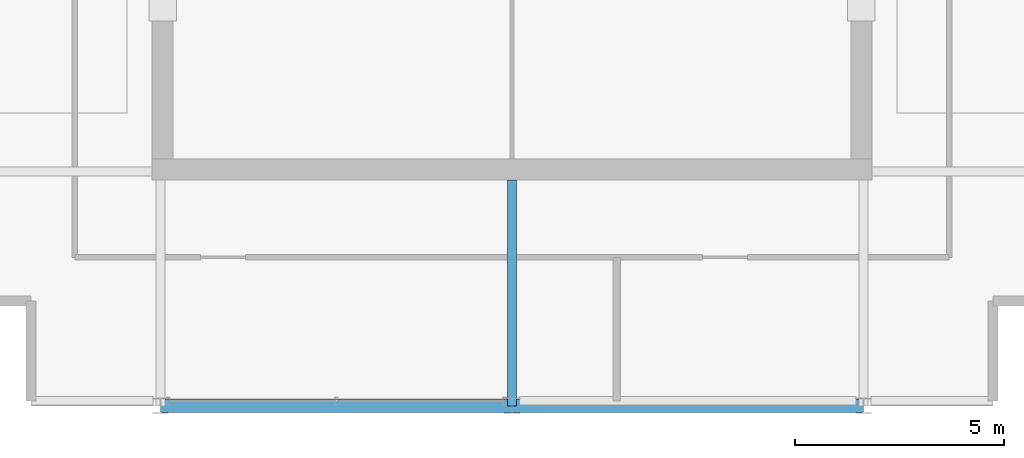
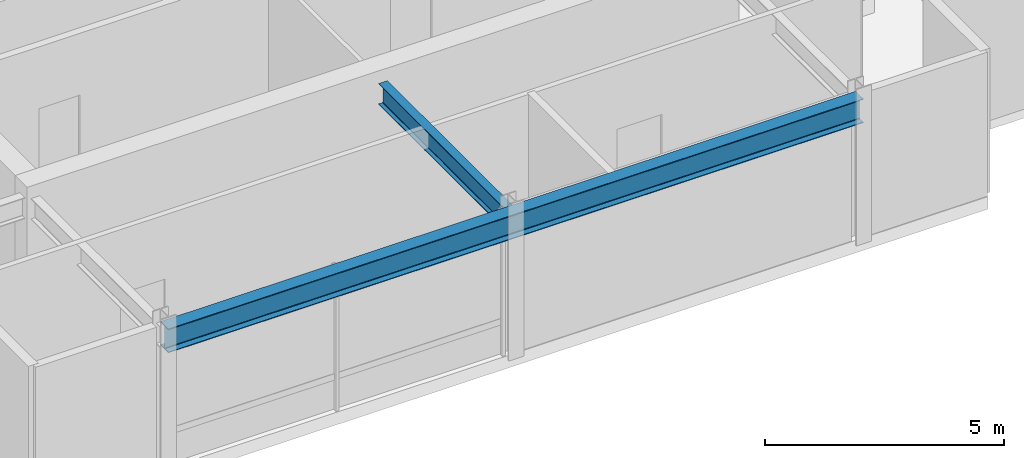
# One storey, part 3 of 12: 2 beams.
"""IFC4 building model written with IfcOpenShell, lengths in metres."""

from ifc_helpers import new_model, si_unit, direction, frame, origin, origin_2d, place, context, subcontext, project, spatial, i_section, extrude, material, material_profile, profile_set, type_object, element, save


model = new_model("IFC4")

# Units and contexts
model_context = context("Model", 3, precision=1e-05, world=origin(), true_north=direction((0.0, 1.0)))
body_context = subcontext(model_context, "Body", "Model", "MODEL_VIEW")
ifc_project = project(units=[si_unit("LENGTHUNIT", "METRE"), si_unit("AREAUNIT", "SQUARE_METRE"), si_unit("VOLUMEUNIT", "CUBIC_METRE"), si_unit("PLANEANGLEUNIT", "RADIAN"), si_unit("MASSUNIT", "GRAM", prefix="KILO")], contexts=[model_context])

# Site, building, storey
site_placement = place(None, origin())
site = spatial("IfcSite", under=ifc_project, at=site_placement, CompositionType="ELEMENT")
building_placement = place(site_placement, origin())
building = spatial("IfcBuilding", under=site, at=building_placement, Name="Drelvath Grand Hotel", CompositionType="ELEMENT")
storey_placement = place(building_placement, frame((0.0, 0.0, 315.39990234375)))
storey = spatial("IfcBuildingStorey", under=building, at=storey_placement, Name="L82", CompositionType="ELEMENT", Elevation=315.39990234375)

# Beams
ifc_material = material(Name="Steel ASTM A992 Gr 50", Category="steel")
ifc_material_profile_1 = material_profile(ifc_material, i_section(OverallWidth=0.210205078125, OverallDepth=0.53662109375, WebThickness=0.010986328125, FlangeThickness=0.017333984375, FilletRadius=0.01806640625, at=origin_2d()), Name="W21X68")
ifc_profile_set_1 = profile_set([ifc_material_profile_1], Name="Steel ASTM A992 Gr 50")
beam_type_1 = type_object("IfcBeamType", Name="Primary Floor Girder W21X68", PredefinedType="BEAM", material=ifc_profile_set_1)
beam_1_placement = place(storey_placement, frame((0.0, 13.0, 3.41162109375), z_axis=(0.0, 1.0, 0.0), x_axis=(-1.0, 0.0, 0.0)))
element("IfcBeam", 1, at=beam_1_placement, inside=storey, type_object=beam_type_1, Name="L82 Crown Drum Tie South 5", PredefinedType="BEAM", context=body_context, shape_type="SweptSolid", body=[
    extrude(i_section(OverallWidth=0.210205078125, OverallDepth=0.53662109375, WebThickness=0.010986328125, FlangeThickness=0.017333984375, FilletRadius=0.01806640625, at=origin_2d()), origin(), (0.0, 0.0, 1.0), 5.39990234375),
])
ifc_material_profile_2 = material_profile(ifc_material, i_section(OverallWidth=0.323974609375, OverallDepth=0.611083984375, WebThickness=0.0126953125, FlangeThickness=0.01904296875, FilletRadius=0.02197265625, at=origin_2d()), Name="W24X104")
ifc_profile_set_2 = profile_set([ifc_material_profile_2], Name="Steel ASTM A992 Gr 50")
beam_type_2 = type_object("IfcBeamType", Name="Primary Floor Girder W24X104", PredefinedType="BEAM", material=ifc_profile_set_2)
beam_2_placement = place(storey_placement, frame((-8.39990234375, 13.0, 3.37451171875), z_axis=(1.0, 0.0, 0.0), x_axis=(0.0, 1.0, 0.0)))
element("IfcBeam", 2, at=beam_2_placement, inside=storey, type_object=beam_type_2, Name="L82 Crown Drum Ring Beam South", PredefinedType="BEAM", context=body_context, shape_type="SweptSolid", body=[
    extrude(i_section(OverallWidth=0.323974609375, OverallDepth=0.611083984375, WebThickness=0.0126953125, FlangeThickness=0.01904296875, FilletRadius=0.02197265625, at=origin_2d()), origin(), (0.0, 0.0, 1.0), 16.7998046875),
])

save(model, "model.ifc")
